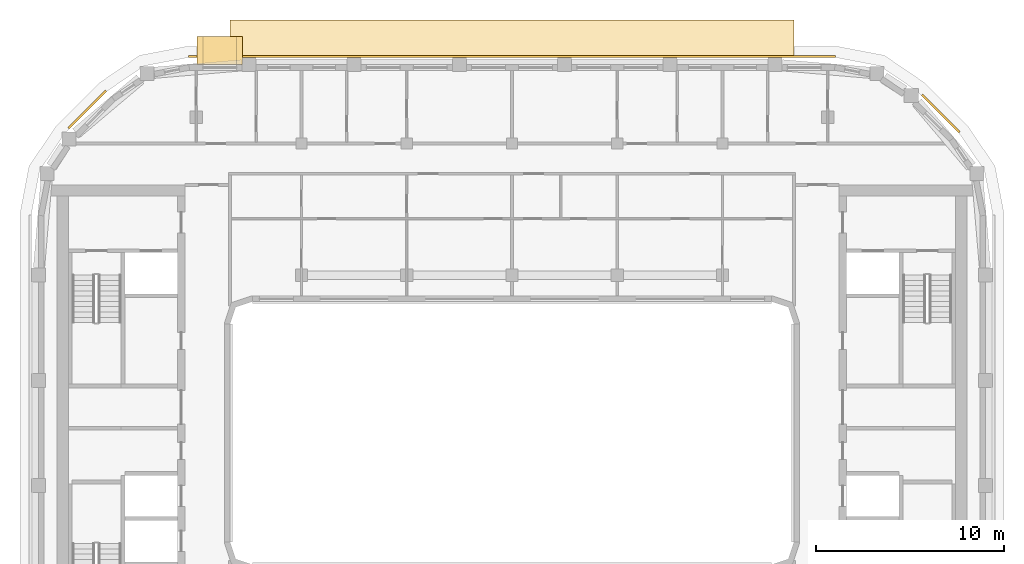
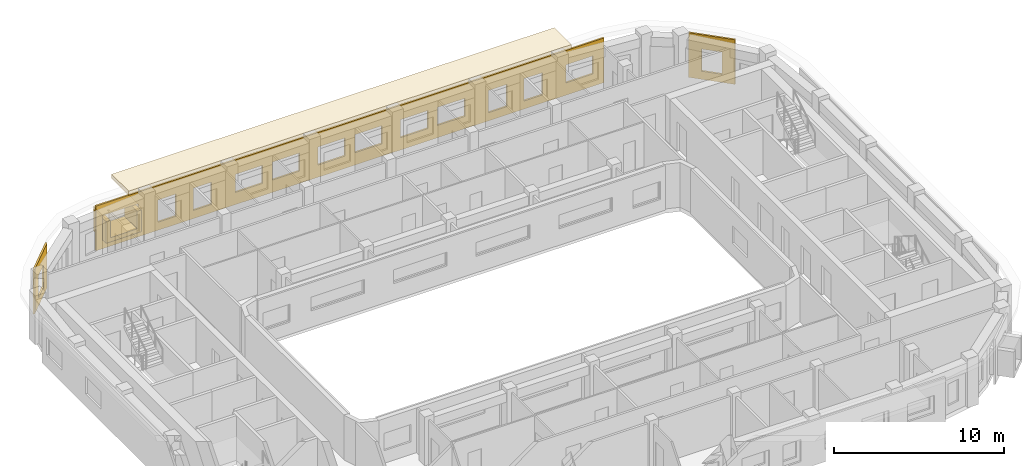
# One storey, part 16 of 16: 6 coverings.
"""IFC4 building model written with IfcOpenShell, lengths in metres."""

from ifc_helpers import new_model, si_unit, direction, frame, origin, origin_2d, place, context, subcontext, project, spatial, polyline, rectangle, outline, extrude, material, layer, layer_set, type_object, element, save


model = new_model("IFC4")

# Units and contexts
model_context = context("Model", 3, precision=1e-05, world=origin(), true_north=direction((0.0, 1.0)))
body_context = subcontext(model_context, "Body", "Model", "MODEL_VIEW")
ifc_project = project(units=[si_unit("LENGTHUNIT", "METRE"), si_unit("AREAUNIT", "SQUARE_METRE"), si_unit("VOLUMEUNIT", "CUBIC_METRE"), si_unit("PLANEANGLEUNIT", "RADIAN"), si_unit("MASSUNIT", "GRAM", prefix="KILO")], contexts=[model_context])

# Site, building, storey
site_placement = place(None, origin())
site = spatial("IfcSite", under=ifc_project, at=site_placement, CompositionType="ELEMENT")
building_placement = place(site_placement, origin())
building = spatial("IfcBuilding", under=site, at=building_placement, Name="Kiln Ring Residences", CompositionType="ELEMENT")
storey_placement = place(building_placement, frame((0.0, 0.0, 269.699951171875)))
storey = spatial("IfcBuildingStorey", under=building, at=storey_placement, Name="L70", CompositionType="ELEMENT", Elevation=269.699951171875)

# Coverings
ifc_material_1 = material(Name="Brick masonry, dark clay brick", Category="masonry")
ifc_layer_1 = layer(ifc_material_1, 0.300048828125)
ifc_layer_set_1 = layer_set([ifc_layer_1], Name="FRAME CHEEKS AND SILL 1500")
covering_type_1 = type_object("IfcCoveringType", Name="FRAME CHEEKS AND SILL 1500", PredefinedType="CLADDING", material=ifc_layer_set_1)
covering_1_placement = place(storey_placement, frame((-14.35009765625, 20.35009765625, 0.60009765625), z_axis=(0.0, 0.0, 1.0), x_axis=(-1.0, 0.0, 0.0)))
element("IfcCovering", 1, at=covering_1_placement, inside=storey, type_object=covering_type_1, Name="FRAME L70", PredefinedType="CLADDING", context=body_context, shape_type="SweptSolid", body=[
    extrude(outline(polyline([(0.0, 0.0), (2.39990234375, 0.0), (2.39990234375, 1.550048828125), (2.10107421875, 1.550048828125), (2.10009765625, 0.300048828125), (0.300048828125, 0.300048828125), (0.299072265625, 1.550048828125), (0.0, 1.550048828125), (0.0, 0.0)])), frame((0.0, 0.75, 0.0), z_axis=(0.0, -1.0, 0.0), x_axis=(1.0, 0.0, 0.0)), (0.0, 0.0, 1.0), 1.5),
])
ifc_material_2 = material(Name="Brick masonry, dark clay brick", Category="masonry")
ifc_layer_2 = layer(ifc_material_2, 0.199951171875)
ifc_layer_set_2 = layer_set([ifc_layer_2], Name="FRAME HEAD 1500")
covering_type_2 = type_object("IfcCoveringType", Name="FRAME HEAD 1500", PredefinedType="CLADDING", material=ifc_layer_set_2)
covering_2_placement = place(storey_placement, frame((-15.550048828125, 20.35009765625, 2.14990234375), z_axis=(0.0, 0.0, 1.0), x_axis=(-1.0, 0.0, 0.0)))
element("IfcCovering", 2, at=covering_2_placement, inside=storey, type_object=covering_type_2, Name="FRAME HEAD L70", PredefinedType="CLADDING", context=body_context, shape_type="SweptSolid", body=[
    extrude(rectangle(XDim=2.39990234375, YDim=1.5, at=origin_2d()), origin(), (0.0, 0.0, 1.0), 0.199951171875),
])
ifc_material_3 = material(Name="Brick masonry, dark clay brick", Category="masonry")
ifc_layer_3 = layer(ifc_material_3, 0.1201171875)
ifc_layer_set_3 = layer_set([ifc_layer_3], Name="RAINSCREEN PANEL 120")
covering_type_3 = type_object("IfcCoveringType", Name="RAINSCREEN PANEL 120", PredefinedType="CLADDING", material=ifc_layer_set_3)
covering_3_placement = place(storey_placement, frame((23.810546875, 16.004638671875, 0.0), z_axis=(0.0, 0.0, 1.0), x_axis=(-0.707106781187, 0.707106781187, 0.0)))
element("IfcCovering", 3, at=covering_3_placement, inside=storey, type_object=covering_type_3, Name="RAINSCREEN L70", PredefinedType="CLADDING", context=body_context, shape_type="SweptSolid", body=[
    extrude(outline(polyline([(0.0, 0.0), (2.824951171875, 0.0), (2.824951171875, 3.199951171875), (0.0, 3.199951171875), (0.0, 0.0)]), holes=[polyline([(0.79248046875, 2.170166015625), (0.79248046875, 0.580078125), (2.032470703125, 0.580078125), (2.032470703125, 2.170166015625), (0.79248046875, 2.170166015625)])]), frame((0.0, 0.06005859375, 0.0), z_axis=(0.0, -1.0, 0.0), x_axis=(1.0, 0.0, 0.0)), (0.0, 0.0, 1.0), 0.1201171875),
])
covering_4_placement = place(storey_placement, frame((17.199951171875, 20.034912109375, 0.0), z_axis=(0.0, 0.0, 1.0), x_axis=(-1.0, 0.0, 0.0)))
element("IfcCovering", 4, at=covering_4_placement, inside=storey, type_object=covering_type_3, Name="RAINSCREEN L70", PredefinedType="CLADDING", context=body_context, shape_type="SweptSolid", body=[
    extrude(outline(polyline([(0.0, 0.0), (34.39990234375, 0.0), (34.39990234375, 3.199951171875), (0.0, 3.199951171875), (0.0, 0.0)]), holes=[polyline([(4.179931640625, 0.580078125), (5.419921875, 0.580078125), (5.419921875, 2.170166015625), (4.179931640625, 2.170166015625), (4.179931640625, 0.580078125)]), polyline([(6.580078125, 2.170166015625), (6.580078125, 0.580078125), (7.820068359375, 0.580078125), (7.820068359375, 2.170166015625), (6.580078125, 2.170166015625)]), polyline([(0.72998046875, 2.170166015625), (0.72998046875, 0.880126953125), (2.570068359375, 0.880126953125), (2.570068359375, 2.170166015625), (0.72998046875, 2.170166015625)]), polyline([(9.429931640625, 0.880126953125), (11.27001953125, 0.880126953125), (11.27001953125, 2.170166015625), (9.429931640625, 2.170166015625), (9.429931640625, 0.880126953125)]), polyline([(11.929931640625, 2.170166015625), (11.929931640625, 0.880126953125), (13.77001953125, 0.880126953125), (13.77001953125, 2.170166015625), (11.929931640625, 2.170166015625)]), polyline([(15.030029296875, 2.170166015625), (15.030029296875, 0.880126953125), (16.8701171875, 0.880126953125), (16.8701171875, 2.170166015625), (15.030029296875, 2.170166015625)]), polyline([(26.580078125, 0.580078125), (27.820068359375, 0.580078125), (27.820068359375, 2.170166015625), (26.580078125, 2.170166015625), (26.580078125, 0.580078125)]), polyline([(28.97998046875, 2.170166015625), (28.97998046875, 0.580078125), (30.219970703125, 0.580078125), (30.219970703125, 2.170166015625), (28.97998046875, 2.170166015625)]), polyline([(31.530029296875, 2.3701171875), (31.530029296875, 0.580078125), (33.969970703125, 0.580078125), (33.969970703125, 2.3701171875), (31.530029296875, 2.3701171875)]), polyline([(17.530029296875, 0.880126953125), (19.3701171875, 0.880126953125), (19.3701171875, 2.170166015625), (17.530029296875, 2.170166015625), (17.530029296875, 0.880126953125)]), polyline([(20.6298828125, 2.170166015625), (20.6298828125, 0.880126953125), (22.469970703125, 0.880126953125), (22.469970703125, 2.170166015625), (20.6298828125, 2.170166015625)]), polyline([(23.1298828125, 2.170166015625), (23.1298828125, 0.880126953125), (24.969970703125, 0.880126953125), (24.969970703125, 2.170166015625), (23.1298828125, 2.170166015625)])]), frame((0.0, 0.06005859375, 0.0), z_axis=(0.0, -1.0, 0.0), x_axis=(1.0, 0.0, 0.0)), (0.0, 0.0, 1.0), 0.1201171875),
])
covering_5_placement = place(storey_placement, frame((-21.604736328125, 18.21044921875, 0.0), z_axis=(0.0, 0.0, 1.0), x_axis=(-0.707106781187, -0.707106781187, 0.0)))
element("IfcCovering", 5, at=covering_5_placement, inside=storey, type_object=covering_type_3, Name="RAINSCREEN L70", PredefinedType="CLADDING", context=body_context, shape_type="SweptSolid", body=[
    extrude(outline(polyline([(0.0, 0.0), (2.824951171875, 0.0), (2.824951171875, 3.199951171875), (0.0, 3.199951171875), (0.0, 0.0)]), holes=[polyline([(0.79248046875, 2.170166015625), (0.79248046875, 0.580078125), (2.032470703125, 0.580078125), (2.032470703125, 2.170166015625), (0.79248046875, 2.170166015625)])]), frame((0.0, 0.06005859375, 0.0), z_axis=(0.0, -1.0, 0.0), x_axis=(1.0, 0.0, 0.0)), (0.0, 0.0, 1.0), 0.1201171875),
])
ifc_material_4 = material(Name="Black powder-coated steel", Category="steel")
ifc_layer_4 = layer(ifc_material_4, 0.300048828125)
ifc_layer_set_4 = layer_set([ifc_layer_4], Name="SUNSHADE BAND 2000")
covering_type_4 = type_object("IfcCoveringType", Name="SUNSHADE BAND 2000", PredefinedType="CLADDING", material=ifc_layer_set_4)
covering_6_placement = place(storey_placement, frame((0.0, 0.0, 3.199951171875)))
element("IfcCovering", 6, at=covering_6_placement, inside=storey, type_object=covering_type_4, Name="SUNSHADE BAND L70", PredefinedType="CLADDING", context=body_context, shape_type="SweptSolid", body=[
    extrude(outline(polyline([(15.0, 21.97509765625), (-15.0, 21.97509765625), (-15.0, 19.97509765625), (15.0, 19.97509765625), (15.0, 21.97509765625)])), origin(), (0.0, 0.0, 1.0), 0.300048828125),
])

save(model, "model.ifc")
